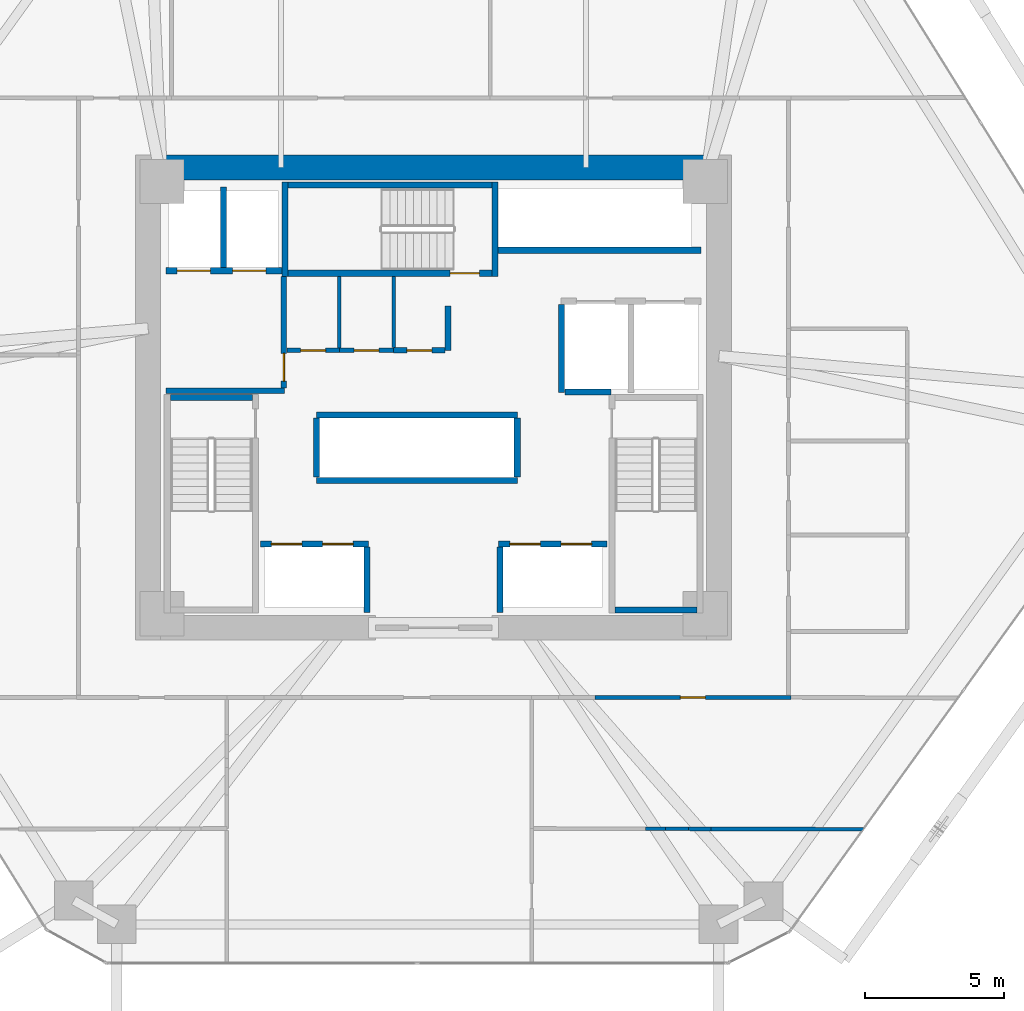
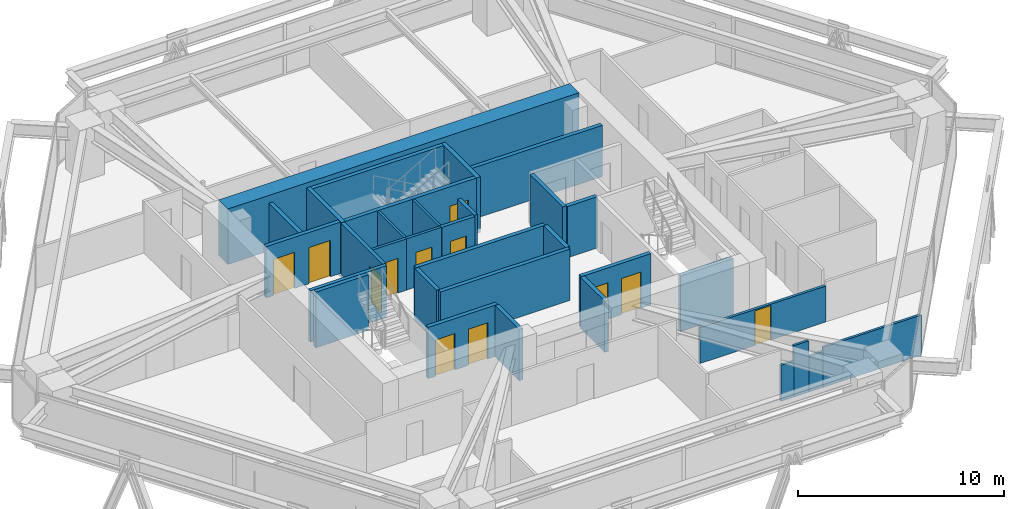
# One storey, part 14 of 17: 33 walls, 12 doors, 12 openings.
"""IFC4 building model written with IfcOpenShell, lengths in metres."""

from ifc_helpers import new_model, si_unit, direction, frame, frame_2d, origin, place, context, subcontext, project, spatial, rectangle, extrude, source, transform, mapped, material, layer, layer_set, type_object, type_shapes, element, fill, save


model = new_model("IFC4")

# Units and contexts
model_context = context("Model", 3, precision=1e-05, world=origin(), true_north=direction((0.0, 1.0)))
body_context = subcontext(model_context, "Body", "Model", "MODEL_VIEW")
ifc_project = project(units=[si_unit("LENGTHUNIT", "METRE"), si_unit("AREAUNIT", "SQUARE_METRE"), si_unit("VOLUMEUNIT", "CUBIC_METRE"), si_unit("PLANEANGLEUNIT", "RADIAN"), si_unit("MASSUNIT", "GRAM", prefix="KILO")], contexts=[model_context])

# Site, building, storey
site_placement = place(None, origin())
site = spatial("IfcSite", under=ifc_project, at=site_placement, CompositionType="ELEMENT")
building_placement = place(site_placement, origin())
building = spatial("IfcBuilding", under=site, at=building_placement, Name="Durnholm Broadcast Tower", CompositionType="ELEMENT")
storey_placement = place(building_placement, frame((0.0, 0.0, 52.199951171875)))
storey = spatial("IfcBuildingStorey", under=building, at=storey_placement, Name="L12", CompositionType="ELEMENT", Elevation=52.199951171875)

# Walls
ifc_material_1 = material(Name="Concrete C70/85", Category="concrete")
ifc_layer_1 = layer(ifc_material_1, 0.89990234375)
ifc_layer_set_1 = layer_set([ifc_layer_1], Name="Concrete C70/85")
wall_type_1 = type_object("IfcWallType", Name="WALL-CW-900", PredefinedType="SHEAR", material=ifc_layer_set_1)
wall_1_placement = place(storey_placement, frame((-9.85009765625, 8.300048828125, 0.0), z_axis=(0.0, 0.0, 1.0), x_axis=(1.0, 0.0, 0.0)))
element("IfcWall", 1, at=wall_1_placement, inside=storey, type_object=wall_type_1, Name="L12 central core shear wall CW-N", PredefinedType="SHEAR", context=body_context, shape_type="SweptSolid", body=[
    extrude(rectangle(XDim=19.7001953125, YDim=0.89990234375, at=frame_2d((9.85009765625, 0.0))), origin(), (0.0, 0.0, 1.0), 3.300048828125),
])
ifc_material_2 = material(Name="Fire-Rated Gypsum Shaftwall", Category="concrete")
ifc_layer_2 = layer(ifc_material_2, 0.199951171875)
ifc_layer_set_2 = layer_set([ifc_layer_2], Name="Fire-Rated Gypsum Shaftwall")
wall_type_2 = type_object("IfcWallType", Name="WALL-LOB-200", PredefinedType="SOLIDWALL", material=ifc_layer_set_2)
wall_2_placement = place(storey_placement, frame((-9.64990234375, 0.25, 0.0), z_axis=(0.0, 0.0, 1.0), x_axis=(1.0, 0.0, 0.0)))
element("IfcWall", 2, at=wall_2_placement, inside=storey, type_object=wall_type_2, Name="L12 Fire Service Access Elevator lobby south wall", PredefinedType="SOLIDWALL", context=body_context, shape_type="SweptSolid", body=[
    extrude(rectangle(XDim=4.27001953125, YDim=0.199951171875, at=frame_2d((2.135009765625, 0.0))), origin(), (0.0, 0.0, 1.0), 3.045166015625),
])

# Wall, opening, door
wall_3_placement = place(storey_placement, frame((-5.39990234375, 0.35400390625, 0.0), z_axis=(0.0, 0.0, 1.0), x_axis=(0.0, 1.0, 0.0)))
wall_3 = element("IfcWall", 3, at=wall_3_placement, inside=storey, type_object=wall_type_2, Name="L12 Fire Service Access Elevator lobby east fire wall", PredefinedType="SOLIDWALL", context=body_context, shape_type="SweptSolid", body=[
    extrude(rectangle(XDim=4.02587890625, YDim=0.199951171875, at=frame_2d((2.012939453125, 0.0))), origin(), (0.0, 0.0, 1.0), 3.045166015625),
])
opening_1_placement = place(wall_3_placement, frame((0.24609375, 0.0, 0.0)))
opening_1 = element("IfcOpeningElement", 4, at=opening_1_placement, cuts=wall_3, Name="Opening DL-60L", PredefinedType="OPENING", context=body_context, shape_type="SweptSolid", body=[
    extrude(rectangle(XDim=1.0, YDim=2.14990234375, at=frame_2d((0.5, 1.074951171875))), frame((0.0, 0.10986328125, 0.0), z_axis=(0.0, -1.0, 0.0), x_axis=(1.0, 0.0, 0.0)), (0.0, 0.0, 1.0), 0.219970703125),
])
ifc_material_3 = material(Name="Fire-Rated Timber/Steel Door", Category="steel")
ifc_layer_3 = layer(ifc_material_3, 0.050048828125)
ifc_layer_set_3 = layer_set([ifc_layer_3], Name="Fire-Rated Timber/Steel Door")
door_type_1 = type_object("IfcDoorType", Name="DOOR-LOB-FD60-L", OperationType="NOTDEFINED", PredefinedType="DOOR", material=ifc_layer_set_3)
shared_shape_1 = source(origin(), body_context, "Body", "SweptSolid", [
    extrude(rectangle(XDim=1.0, YDim=2.14990234375, at=frame_2d((0.5, 1.074951171875))), frame((0.0, 0.02490234375, 0.0), z_axis=(0.0, -1.0, 0.0), x_axis=(1.0, 0.0, 0.0)), (0.0, 0.0, 1.0), 0.050048828125),
])
type_shapes(door_type_1, [shared_shape_1])
door_1_placement = place(opening_1_placement, origin())
door_1 = element("IfcDoor", 5, at=door_1_placement, inside=storey, type_object=door_type_1, Name="L12 Fire Service Access Elevator lobby smoke door", OperationType="SINGLE_SWING_LEFT", OverallHeight=2.14990234375, OverallWidth=1.0, PredefinedType="DOOR", context=body_context, shape_type="MappedRepresentation", body=[
    mapped(shared_shape_1, transform((0.0, 0.0, 0.0), x_axis=(1.0, 0.0, 0.0), y_axis=(0.0, 1.0, 0.0), z_axis=(0.0, 0.0, 1.0), scale=1.0)),
])
fill(opening_1, door_1)

# Wall
wall_4_placement = place(storey_placement, frame((0.52001953125, 3.300048828125, 0.0), z_axis=(0.0, 0.0, 1.0), x_axis=(0.0, -1.0, 0.0)))
element("IfcWall", 6, at=wall_4_placement, inside=storey, type_object=wall_type_2, Name="L12 Core Telecom Patch Room corridor partition", PredefinedType="SOLIDWALL", context=body_context, shape_type="SweptSolid", body=[
    extrude(rectangle(XDim=1.590087890625, YDim=0.199951171875, at=frame_2d((0.794921875, 0.0))), origin(), (0.0, 0.0, 1.0), 3.045166015625),
])

# Wall, opening, door
wall_5_placement = place(storey_placement, frame((0.416015625, 1.7099609375, 0.0), z_axis=(0.0, 0.0, 1.0), x_axis=(-1.0, 0.0, 0.0)))
wall_5 = element("IfcWall", 7, at=wall_5_placement, inside=storey, type_object=wall_type_2, Name="L12 Core Telecom Patch Room corridor partition", PredefinedType="SOLIDWALL", context=body_context, shape_type="SweptSolid", body=[
    extrude(rectangle(XDim=1.85595703125, YDim=0.199951171875, at=frame_2d((0.927978515625, 0.0))), origin(), (0.0, 0.0, 1.0), 3.045166015625),
])
opening_2_placement = place(wall_5_placement, frame((0.47802734375, 0.0, 0.0)))
opening_2 = element("IfcOpeningElement", 8, at=opening_2_placement, cuts=wall_5, Name="Opening DC-60L", PredefinedType="OPENING", context=body_context, shape_type="SweptSolid", body=[
    extrude(rectangle(XDim=0.89990234375, YDim=2.050048828125, at=frame_2d((0.449951171875, 1.02490234375))), frame((0.0, 0.10986328125, 0.0), z_axis=(0.0, -1.0, 0.0), x_axis=(1.0, 0.0, 0.0)), (0.0, 0.0, 1.0), 0.219970703125),
])
ifc_material_4 = material(Name="Fire-Rated Core Service Door", Category="steel")
ifc_layer_4 = layer(ifc_material_4, 0.050048828125)
ifc_layer_set_4 = layer_set([ifc_layer_4], Name="Fire-Rated Core Service Door")
door_type_2 = type_object("IfcDoorType", Name="DOOR-CORE-FD60-L", OperationType="NOTDEFINED", PredefinedType="DOOR", material=ifc_layer_set_4)
shared_shape_2 = source(origin(), body_context, "Body", "SweptSolid", [
    extrude(rectangle(XDim=0.89990234375, YDim=2.050048828125, at=frame_2d((0.449951171875, 1.02490234375))), frame((0.0, 0.02490234375, 0.0), z_axis=(0.0, -1.0, 0.0), x_axis=(1.0, 0.0, 0.0)), (0.0, 0.0, 1.0), 0.050048828125),
])
type_shapes(door_type_2, [shared_shape_2])
door_2_placement = place(opening_2_placement, origin())
door_2 = element("IfcDoor", 9, at=door_2_placement, inside=storey, type_object=door_type_2, Name="L12 Core Telecom Patch Room entrance door", OperationType="SINGLE_SWING_LEFT", OverallHeight=2.050048828125, OverallWidth=0.89990234375, PredefinedType="DOOR", context=body_context, shape_type="MappedRepresentation", body=[
    mapped(shared_shape_2, transform((0.0, 0.0, 0.0), x_axis=(1.0, 0.0, 0.0), y_axis=(0.0, 1.0, 0.0), z_axis=(0.0, 0.0, 1.0), scale=1.0)),
])
fill(opening_2, door_2)

# Walls
ifc_material_5 = material(Name="Gypsum Metal Stud Partition", Category="concrete")
ifc_layer_5 = layer(ifc_material_5, 0.135009765625)
ifc_layer_set_5 = layer_set([ifc_layer_5], Name="Gypsum Metal Stud Partition")
wall_type_3 = type_object("IfcWallType", Name="WALL-PART-135", PredefinedType="PARTITIONING", material=ifc_layer_set_5)
wall_6_placement = place(storey_placement, frame((-3.39990234375, 4.375, 0.0), z_axis=(0.0, 0.0, 1.0), x_axis=(0.0, -1.0, 0.0)))
element("IfcWall", 10, at=wall_6_placement, inside=storey, type_object=wall_type_3, Name="L12 room dividing partition 1.2", PredefinedType="PARTITIONING", context=body_context, shape_type="SweptSolid", body=[
    extrude(rectangle(XDim=2.5859375, YDim=0.135009765625, at=frame_2d((1.29296875, 0.0))), origin(), (0.0, 0.0, 1.0), 3.045166015625),
])
wall_7_placement = place(storey_placement, frame((-1.43994140625, 4.375, 0.0), z_axis=(0.0, 0.0, 1.0), x_axis=(0.0, -1.0, 0.0)))
element("IfcWall", 11, at=wall_7_placement, inside=storey, type_object=wall_type_3, Name="L12 room dividing partition 2.3", PredefinedType="PARTITIONING", context=body_context, shape_type="SweptSolid", body=[
    extrude(rectangle(XDim=2.56103515625, YDim=0.135009765625, at=frame_2d((1.280517578125, 0.0))), origin(), (0.0, 0.0, 1.0), 3.045166015625),
])
wall_8_placement = place(storey_placement, frame((8.3642578125, -15.554443359375, 0.0), z_axis=(0.0, 0.0, 1.0), x_axis=(0.999997907793, -0.002045583096, 0.0)))
element("IfcWall", 12, at=wall_8_placement, inside=storey, type_object=wall_type_3, Name="L12 room dividing partition 13.14", PredefinedType="PARTITIONING", context=body_context, shape_type="SweptSolid", body=[
    extrude(rectangle(XDim=0.83544921875, YDim=0.135009765625, at=frame_2d((0.417724609375, 0.0))), origin(), (0.0, 0.0, 1.0), 3.045166015625),
])
wall_9_placement = place(storey_placement, frame((10.006591796875, -15.5576171875, 0.0), z_axis=(0.0, 0.0, 1.0), x_axis=(0.999998093672, -0.00195260123, 0.0)))
element("IfcWall", 13, at=wall_9_placement, inside=storey, type_object=wall_type_3, Name="L12 room dividing partition 13.14", PredefinedType="PARTITIONING", context=body_context, shape_type="SweptSolid", body=[
    extrude(rectangle(XDim=5.50146484375, YDim=0.135009765625, at=frame_2d((2.750732421875, 0.0))), origin(), (0.0, 0.0, 1.0), 2.380126953125),
])
wall_10_placement = place(storey_placement, frame((7.638916015625, -15.552978515625, 0.0), z_axis=(0.0, 0.0, 1.0), x_axis=(0.999997960772, -0.002019517928, 0.0)))
element("IfcWall", 14, at=wall_10_placement, inside=storey, type_object=wall_type_3, Name="L12 room dividing partition 13.14", PredefinedType="PARTITIONING", context=body_context, shape_type="SweptSolid", body=[
    extrude(rectangle(XDim=0.725341796875, YDim=0.135009765625, at=frame_2d((0.36279296875, 0.0))), origin(), (0.0, 0.0, 1.0), 2.130126953125),
])
wall_11_placement = place(storey_placement, frame((9.19970703125, -15.55615234375, 0.0), z_axis=(0.0, 0.0, 1.0), x_axis=(0.999998352109, -0.001815428173, 0.0)))
element("IfcWall", 15, at=wall_11_placement, inside=storey, type_object=wall_type_3, Name="L12 room dividing partition 13.14", PredefinedType="PARTITIONING", context=body_context, shape_type="SweptSolid", body=[
    extrude(rectangle(XDim=0.806884765625, YDim=0.135009765625, at=frame_2d((0.4033203125, 0.0))), origin(), (0.0, 0.0, 1.0), 2.130126953125),
])

# Wall, opening, door
ifc_material_6 = material(Name="Acoustic Gypsum Stud Partition", Category="concrete")
ifc_layer_6 = layer(ifc_material_6, 0.14990234375)
ifc_layer_set_6 = layer_set([ifc_layer_6], Name="Acoustic Gypsum Stud Partition")
wall_type_4 = type_object("IfcWallType", Name="WALL-PART-150", PredefinedType="PARTITIONING", material=ifc_layer_set_6)
wall_12_placement = place(storey_placement, frame((-3.39990234375, 1.7099609375, 0.0), z_axis=(0.0, 0.0, 1.0), x_axis=(-1.0, 0.0, 0.0)))
wall_12 = element("IfcWall", 16, at=wall_12_placement, inside=storey, type_object=wall_type_4, Name="L12 Core Copy and Print Closet corridor partition", PredefinedType="PARTITIONING", context=body_context, shape_type="SweptSolid", body=[
    extrude(rectangle(XDim=1.89599609375, YDim=0.14990234375, at=frame_2d((0.947998046875, 0.0))), origin(), (0.0, 0.0, 1.0), 3.045166015625),
])
opening_3_placement = place(wall_12_placement, frame((0.498046875, 0.0, 0.0)))
opening_3 = element("IfcOpeningElement", 17, at=opening_3_placement, cuts=wall_12, Name="Opening DC-60L", PredefinedType="OPENING", context=body_context, shape_type="SweptSolid", body=[
    extrude(rectangle(XDim=0.89990234375, YDim=2.050048828125, at=frame_2d((0.449951171875, 1.02490234375))), frame((0.0, 0.0849609375, 0.0), z_axis=(0.0, -1.0, 0.0), x_axis=(1.0, 0.0, 0.0)), (0.0, 0.0, 1.0), 0.169921875),
])
door_3_placement = place(opening_3_placement, origin())
door_3 = element("IfcDoor", 18, at=door_3_placement, inside=storey, type_object=door_type_2, Name="L12 Core Copy and Print Closet entrance door", OperationType="SINGLE_SWING_LEFT", OverallHeight=2.050048828125, OverallWidth=0.89990234375, PredefinedType="DOOR", context=body_context, shape_type="MappedRepresentation", body=[
    mapped(shared_shape_2, transform((0.0, 0.0, 0.0), x_axis=(1.0, 0.0, 0.0), y_axis=(0.0, 1.0, 0.0), z_axis=(0.0, 0.0, 1.0), scale=1.0)),
])
fill(opening_3, door_3)

wall_13_placement = place(storey_placement, frame((-1.43994140625, 1.7099609375, 0.0), z_axis=(0.0, 0.0, 1.0), x_axis=(-1.0, 0.0, 0.0)))
wall_13 = element("IfcWall", 19, at=wall_13_placement, inside=storey, type_object=wall_type_4, Name="L12 Core Janitor Supply Closet corridor partition", PredefinedType="PARTITIONING", context=body_context, shape_type="SweptSolid", body=[
    extrude(rectangle(XDim=1.9599609375, YDim=0.14990234375, at=frame_2d((0.97998046875, 0.0))), origin(), (0.0, 0.0, 1.0), 3.045166015625),
])
opening_4_placement = place(wall_13_placement, frame((0.530029296875, 0.0, 0.0)))
opening_4 = element("IfcOpeningElement", 20, at=opening_4_placement, cuts=wall_13, Name="Opening DC-60R", PredefinedType="OPENING", context=body_context, shape_type="SweptSolid", body=[
    extrude(rectangle(XDim=0.89990234375, YDim=2.050048828125, at=frame_2d((0.449951171875, 1.02490234375))), frame((0.0, 0.0849609375, 0.0), z_axis=(0.0, -1.0, 0.0), x_axis=(1.0, 0.0, 0.0)), (0.0, 0.0, 1.0), 0.169921875),
])
ifc_layer_7 = layer(ifc_material_4, 0.050048828125)
ifc_layer_set_7 = layer_set([ifc_layer_7], Name="Fire-Rated Core Service Door")
door_type_3 = type_object("IfcDoorType", Name="DOOR-CORE-FD60-R", OperationType="NOTDEFINED", PredefinedType="DOOR", material=ifc_layer_set_7)
shared_shape_3 = source(origin(), body_context, "Body", "SweptSolid", [
    extrude(rectangle(XDim=0.89990234375, YDim=2.050048828125, at=frame_2d((0.449951171875, 1.02490234375))), frame((0.0, 0.02490234375, 0.0), z_axis=(0.0, -1.0, 0.0), x_axis=(1.0, 0.0, 0.0)), (0.0, 0.0, 1.0), 0.050048828125),
])
type_shapes(door_type_3, [shared_shape_3])
door_4_placement = place(opening_4_placement, origin())
door_4 = element("IfcDoor", 21, at=door_4_placement, inside=storey, type_object=door_type_3, Name="L12 Core Janitor Supply Closet entrance door", OperationType="SINGLE_SWING_RIGHT", OverallHeight=2.050048828125, OverallWidth=0.89990234375, PredefinedType="DOOR", context=body_context, shape_type="MappedRepresentation", body=[
    mapped(shared_shape_3, transform((0.0, 0.0, 0.0), x_axis=(1.0, 0.0, 0.0), y_axis=(0.0, 1.0, 0.0), z_axis=(0.0, 0.0, 1.0), scale=1.0)),
])
fill(opening_4, door_4)

wall_14_placement = place(storey_placement, frame((5.8173828125, -10.81005859375, 0.0), z_axis=(0.0, 0.0, 1.0), x_axis=(1.0, 0.0, 0.0)))
wall_14 = element("IfcWall", 22, at=wall_14_placement, inside=storey, type_object=wall_type_4, Name="L12 Equipment Store corridor partition", PredefinedType="PARTITIONING", context=body_context, shape_type="SweptSolid", body=[
    extrude(rectangle(XDim=7.072509765625, YDim=0.14990234375, at=frame_2d((3.5361328125, 0.0))), origin(), (0.0, 0.0, 1.0), 2.130126953125),
])
opening_5_placement = place(wall_14_placement, frame((3.086181640625, 0.0, 0.0)))
opening_5 = element("IfcOpeningElement", 23, at=opening_5_placement, cuts=wall_14, Name="Opening DC-60L", PredefinedType="OPENING", context=body_context, shape_type="SweptSolid", body=[
    extrude(rectangle(XDim=0.89990234375, YDim=2.050048828125, at=frame_2d((0.449951171875, 1.02490234375))), frame((0.0, 0.0849609375, 0.0), z_axis=(0.0, -1.0, 0.0), x_axis=(1.0, 0.0, 0.0)), (0.0, 0.0, 1.0), 0.169921875),
])
door_5_placement = place(opening_5_placement, origin())
door_5 = element("IfcDoor", 24, at=door_5_placement, inside=storey, type_object=door_type_2, Name="L12 Equipment Store entrance door", OperationType="SINGLE_SWING_LEFT", OverallHeight=2.050048828125, OverallWidth=0.89990234375, PredefinedType="DOOR", context=body_context, shape_type="MappedRepresentation", body=[
    mapped(shared_shape_2, transform((0.0, 0.0, 0.0), x_axis=(1.0, 0.0, 0.0), y_axis=(0.0, 1.0, 0.0), z_axis=(0.0, 0.0, 1.0), scale=1.0)),
])
fill(opening_5, door_5)

# Wall, openings, doors
ifc_material_7 = material(Name="Concrete Blockwork C30/37", Category="masonry")
ifc_layer_8 = layer(ifc_material_7, 0.219970703125)
ifc_layer_set_8 = layer_set([ifc_layer_8], Name="Concrete Blockwork C30/37")
wall_type_5 = type_object("IfcWallType", Name="WALL-SHAFT-220", PredefinedType="SOLIDWALL", material=ifc_layer_set_8)
wall_15_placement = place(storey_placement, frame((-9.64990234375, 4.580078125, 0.0), z_axis=(0.0, 0.0, 1.0), x_axis=(1.0, 0.0, 0.0)))
wall_15 = element("IfcWall", 25, at=wall_15_placement, inside=storey, type_object=wall_type_5, Name="L12 FSAE hoistway front fire wall", PredefinedType="SOLIDWALL", context=body_context, shape_type="SweptSolid", body=[
    extrude(rectangle(XDim=4.1748046875, YDim=0.219970703125, at=frame_2d((2.08740234375, 0.0))), origin(), (0.0, 0.0, 1.0), 3.045166015625),
])
opening_6_placement = place(wall_15_placement, frame((0.39990234375, 0.0, 0.0)))
opening_6 = element("IfcOpeningElement", 26, at=opening_6_placement, cuts=wall_15, Name="Opening LD-FSAE-2", PredefinedType="OPENING", context=body_context, shape_type="SweptSolid", body=[
    extrude(rectangle(XDim=1.199951171875, YDim=2.14990234375, at=frame_2d((0.60009765625, 1.074951171875))), frame((0.0, 0.1201171875, 0.0), z_axis=(0.0, -1.0, 0.0), x_axis=(1.0, 0.0, 0.0)), (0.0, 0.0, 1.0), 0.239990234375),
])
opening_7_placement = place(wall_15_placement, frame((2.39990234375, 0.0, 0.0)))
opening_7 = element("IfcOpeningElement", 27, at=opening_7_placement, cuts=wall_15, Name="Opening LD-FSAE-1", PredefinedType="OPENING", context=body_context, shape_type="SweptSolid", body=[
    extrude(rectangle(XDim=1.199951171875, YDim=2.14990234375, at=frame_2d((0.60009765625, 1.074951171875))), frame((0.0, 0.1201171875, 0.0), z_axis=(0.0, -1.0, 0.0), x_axis=(1.0, 0.0, 0.0)), (0.0, 0.0, 1.0), 0.239990234375),
])
ifc_material_8 = material(Name="Fire Service Access Sliding Landing Door", Category="steel")
ifc_layer_9 = layer(ifc_material_8, 0.050048828125)
ifc_layer_set_9 = layer_set([ifc_layer_9], Name="Fire Service Access Sliding Landing Door")
door_type_4 = type_object("IfcDoorType", Name="DOOR-LIFT-FSAE", OperationType="DOUBLE_DOOR_SLIDING", PredefinedType="DOOR", material=ifc_layer_set_9)
shared_shape_4 = source(origin(), body_context, "Body", "SweptSolid", [
    extrude(rectangle(XDim=1.199951171875, YDim=2.14990234375, at=frame_2d((0.60009765625, 1.074951171875))), frame((0.0, 0.02490234375, 0.0), z_axis=(0.0, -1.0, 0.0), x_axis=(1.0, 0.0, 0.0)), (0.0, 0.0, 1.0), 0.050048828125),
])
type_shapes(door_type_4, [shared_shape_4])
door_6_placement = place(opening_6_placement, origin())
door_6 = element("IfcDoor", 28, at=door_6_placement, inside=storey, type_object=door_type_4, Name="L12 Fire Service Access Elevator FSAE-2 sliding landing door", OperationType="DOUBLE_DOOR_SLIDING", OverallHeight=2.14990234375, OverallWidth=1.199951171875, PredefinedType="DOOR", context=body_context, shape_type="MappedRepresentation", body=[
    mapped(shared_shape_4, transform((0.0, 0.0, 0.0), x_axis=(1.0, 0.0, 0.0), y_axis=(0.0, 1.0, 0.0), z_axis=(0.0, 0.0, 1.0), scale=1.0)),
])
fill(opening_6, door_6)
door_7_placement = place(opening_7_placement, origin())
door_7 = element("IfcDoor", 29, at=door_7_placement, inside=storey, type_object=door_type_4, Name="L12 Fire Service Access Elevator FSAE-1 sliding landing door", OperationType="DOUBLE_DOOR_SLIDING", OverallHeight=2.14990234375, OverallWidth=1.199951171875, PredefinedType="DOOR", context=body_context, shape_type="MappedRepresentation", body=[
    mapped(shared_shape_4, transform((0.0, 0.0, 0.0), x_axis=(1.0, 0.0, 0.0), y_axis=(0.0, 1.0, 0.0), z_axis=(0.0, 0.0, 1.0), scale=1.0)),
])
fill(opening_7, door_7)

# Walls
wall_16_placement = place(storey_placement, frame((-7.580078125, 4.694091796875, 0.0), z_axis=(0.0, 0.0, 1.0), x_axis=(0.0, 1.0, 0.0)))
element("IfcWall", 30, at=wall_16_placement, inside=storey, type_object=wall_type_5, Name="L12 FSAE shaft divider wall", PredefinedType="SOLIDWALL", context=body_context, shape_type="SweptSolid", body=[
    extrude(rectangle(XDim=2.906005859375, YDim=0.219970703125, at=frame_2d((1.453125, 0.0))), origin(), (0.0, 0.0, 1.0), 3.045166015625),
])
wall_17_placement = place(storey_placement, frame((4.6201171875, 0.179931640625, 0.0), z_axis=(0.0, 0.0, 1.0), x_axis=(0.0, 1.0, 0.0)))
element("IfcWall", 31, at=wall_17_placement, inside=storey, type_object=wall_type_5, Name="L12 freight service lift SVL-2 west wall", PredefinedType="SOLIDWALL", context=body_context, shape_type="SweptSolid", body=[
    extrude(rectangle(XDim=3.18603515625, YDim=0.219970703125, at=frame_2d((1.593017578125, 0.0))), origin(), (0.0, 0.0, 1.0), 3.045166015625),
])
wall_18_placement = place(storey_placement, frame((4.73388671875, 0.199951171875, 0.0), z_axis=(0.0, 0.0, 1.0), x_axis=(1.0, 0.0, 0.0)))
element("IfcWall", 32, at=wall_18_placement, inside=storey, type_object=wall_type_5, Name="L12 freight service lift SVL-2 south wall", PredefinedType="SOLIDWALL", context=body_context, shape_type="SweptSolid", body=[
    extrude(rectangle(XDim=1.666015625, YDim=0.219970703125, at=frame_2d((0.8330078125, 0.0))), origin(), (0.0, 0.0, 1.0), 3.045166015625),
])

# Wall, openings, doors
wall_19_placement = place(storey_placement, frame((-6.25, -5.280029296875, 0.0), z_axis=(0.0, 0.0, 1.0), x_axis=(1.0, 0.0, 0.0)))
wall_19 = element("IfcWall", 33, at=wall_19_placement, inside=storey, type_object=wall_type_5, Name="L12 low-rise bank P1 west front wall", PredefinedType="SOLIDWALL", context=body_context, shape_type="SweptSolid", body=[
    extrude(rectangle(XDim=3.89990234375, YDim=0.219970703125, at=frame_2d((1.949951171875, 0.0))), origin(), (0.0, 0.0, 1.0), 3.045166015625),
])
opening_8_placement = place(wall_19_placement, frame((0.39990234375, 0.0, 0.0)))
opening_8 = element("IfcOpeningElement", 34, at=opening_8_placement, cuts=wall_19, Name="Opening LD-LP1-1", PredefinedType="OPENING", context=body_context, shape_type="SweptSolid", body=[
    extrude(rectangle(XDim=1.10009765625, YDim=2.14990234375, at=frame_2d((0.550048828125, 1.074951171875))), frame((0.0, 0.1201171875, 0.0), z_axis=(0.0, -1.0, 0.0), x_axis=(1.0, 0.0, 0.0)), (0.0, 0.0, 1.0), 0.239990234375),
])
opening_9_placement = place(wall_19_placement, frame((2.25, 0.0, 0.0)))
opening_9 = element("IfcOpeningElement", 35, at=opening_9_placement, cuts=wall_19, Name="Opening LD-LP1-2", PredefinedType="OPENING", context=body_context, shape_type="SweptSolid", body=[
    extrude(rectangle(XDim=1.10009765625, YDim=2.14990234375, at=frame_2d((0.550048828125, 1.074951171875))), frame((0.0, 0.1201171875, 0.0), z_axis=(0.0, -1.0, 0.0), x_axis=(1.0, 0.0, 0.0)), (0.0, 0.0, 1.0), 0.239990234375),
])
ifc_material_9 = material(Name="Stainless Steel Sliding Elevator Landing Door", Category="steel")
ifc_layer_10 = layer(ifc_material_9, 0.050048828125)
ifc_layer_set_10 = layer_set([ifc_layer_10], Name="Stainless Steel Sliding Elevator Landing Door")
door_type_5 = type_object("IfcDoorType", Name="DOOR-LIFT-PAX", OperationType="DOUBLE_DOOR_SLIDING", PredefinedType="DOOR", material=ifc_layer_set_10)
shared_shape_5 = source(origin(), body_context, "Body", "SweptSolid", [
    extrude(rectangle(XDim=1.10009765625, YDim=2.14990234375, at=frame_2d((0.550048828125, 1.074951171875))), frame((0.0, 0.02490234375, 0.0), z_axis=(0.0, -1.0, 0.0), x_axis=(1.0, 0.0, 0.0)), (0.0, 0.0, 1.0), 0.050048828125),
])
type_shapes(door_type_5, [shared_shape_5])
door_8_placement = place(opening_8_placement, origin())
door_8 = element("IfcDoor", 36, at=door_8_placement, inside=storey, type_object=door_type_5, Name="L12 passenger elevator LP1-1 sliding landing door", OperationType="DOUBLE_DOOR_SLIDING", OverallHeight=2.14990234375, OverallWidth=1.10009765625, PredefinedType="DOOR", context=body_context, shape_type="MappedRepresentation", body=[
    mapped(shared_shape_5, transform((0.0, 0.0, 0.0), x_axis=(1.0, 0.0, 0.0), y_axis=(0.0, 1.0, 0.0), z_axis=(0.0, 0.0, 1.0), scale=1.0)),
])
fill(opening_8, door_8)
door_9_placement = place(opening_9_placement, origin())
door_9 = element("IfcDoor", 37, at=door_9_placement, inside=storey, type_object=door_type_5, Name="L12 passenger elevator LP1-2 sliding landing door", OperationType="DOUBLE_DOOR_SLIDING", OverallHeight=2.14990234375, OverallWidth=1.10009765625, PredefinedType="DOOR", context=body_context, shape_type="MappedRepresentation", body=[
    mapped(shared_shape_5, transform((0.0, 0.0, 0.0), x_axis=(1.0, 0.0, 0.0), y_axis=(0.0, 1.0, 0.0), z_axis=(0.0, 0.0, 1.0), scale=1.0)),
])
fill(opening_9, door_9)

wall_20_placement = place(storey_placement, frame((2.35009765625, -5.280029296875, 0.0), z_axis=(0.0, 0.0, 1.0), x_axis=(1.0, 0.0, 0.0)))
wall_20 = element("IfcWall", 38, at=wall_20_placement, inside=storey, type_object=wall_type_5, Name="L12 low-rise bank P1 east front wall", PredefinedType="SOLIDWALL", context=body_context, shape_type="SweptSolid", body=[
    extrude(rectangle(XDim=3.89990234375, YDim=0.219970703125, at=frame_2d((1.949951171875, 0.0))), origin(), (0.0, 0.0, 1.0), 3.045166015625),
])
opening_10_placement = place(wall_20_placement, frame((0.39990234375, 0.0, 0.0)))
opening_10 = element("IfcOpeningElement", 39, at=opening_10_placement, cuts=wall_20, Name="Opening LD-LP1-3", PredefinedType="OPENING", context=body_context, shape_type="SweptSolid", body=[
    extrude(rectangle(XDim=1.10009765625, YDim=2.14990234375, at=frame_2d((0.550048828125, 1.074951171875))), frame((0.0, 0.1201171875, 0.0), z_axis=(0.0, -1.0, 0.0), x_axis=(1.0, 0.0, 0.0)), (0.0, 0.0, 1.0), 0.239990234375),
])
opening_11_placement = place(wall_20_placement, frame((2.25, 0.0, 0.0)))
opening_11 = element("IfcOpeningElement", 40, at=opening_11_placement, cuts=wall_20, Name="Opening LD-LP1-4", PredefinedType="OPENING", context=body_context, shape_type="SweptSolid", body=[
    extrude(rectangle(XDim=1.10009765625, YDim=2.14990234375, at=frame_2d((0.550048828125, 1.074951171875))), frame((0.0, 0.1201171875, 0.0), z_axis=(0.0, -1.0, 0.0), x_axis=(1.0, 0.0, 0.0)), (0.0, 0.0, 1.0), 0.239990234375),
])
door_10_placement = place(opening_10_placement, origin())
door_10 = element("IfcDoor", 41, at=door_10_placement, inside=storey, type_object=door_type_5, Name="L12 passenger elevator LP1-3 sliding landing door", OperationType="DOUBLE_DOOR_SLIDING", OverallHeight=2.14990234375, OverallWidth=1.10009765625, PredefinedType="DOOR", context=body_context, shape_type="MappedRepresentation", body=[
    mapped(shared_shape_5, transform((0.0, 0.0, 0.0), x_axis=(1.0, 0.0, 0.0), y_axis=(0.0, 1.0, 0.0), z_axis=(0.0, 0.0, 1.0), scale=1.0)),
])
fill(opening_10, door_10)
door_11_placement = place(opening_11_placement, origin())
door_11 = element("IfcDoor", 42, at=door_11_placement, inside=storey, type_object=door_type_5, Name="L12 passenger elevator LP1-4 sliding landing door", OperationType="DOUBLE_DOOR_SLIDING", OverallHeight=2.14990234375, OverallWidth=1.10009765625, PredefinedType="DOOR", context=body_context, shape_type="MappedRepresentation", body=[
    mapped(shared_shape_5, transform((0.0, 0.0, 0.0), x_axis=(1.0, 0.0, 0.0), y_axis=(0.0, 1.0, 0.0), z_axis=(0.0, 0.0, 1.0), scale=1.0)),
])
fill(opening_11, door_11)

# Walls
for number, where, z_axis, x_axis, name in (
    (43, (-2.39990234375, -7.75, 0.0), (0.0, 0.0, 1.0), (0.0, 1.0, 0.0), "L12 low-rise bank P1 west mouth wall"),
    (44, (2.39990234375, -7.75, 0.0), (0.0, 0.0, 1.0), (0.0, 1.0, 0.0), "L12 low-rise bank P1 east mouth wall"),
):
    element("IfcWall", number, at=place(storey_placement, frame(where, z_axis=z_axis, x_axis=x_axis)), inside=storey, type_object=wall_type_5, Name=name, PredefinedType="SOLIDWALL", context=body_context, shape_type="SweptSolid", body=[
        extrude(rectangle(XDim=2.35595703125, YDim=0.219970703125, at=frame_2d((1.177978515625, 0.0))), origin(), (0.0, 0.0, 1.0), 3.045166015625),
    ])
for number, where, z_axis, x_axis, name in (
    (45, (-4.219970703125, -2.97998046875, 0.0), (0.0, 0.0, 1.0), (1.0, 0.0, 0.0), "L12 mid-rise bank P2 south front wall"),
    (46, (-4.219970703125, -0.6201171875, 0.0), (0.0, 0.0, 1.0), (1.0, 0.0, 0.0), "L12 mid-rise bank P2 north shaft wall"),
):
    element("IfcWall", number, at=place(storey_placement, frame(where, z_axis=z_axis, x_axis=x_axis)), inside=storey, type_object=wall_type_5, Name=name, PredefinedType="SOLIDWALL", context=body_context, shape_type="SweptSolid", body=[
        extrude(rectangle(XDim=7.239990234375, YDim=0.219970703125, at=frame_2d((3.6201171875, 0.0))), origin(), (0.0, 0.0, 1.0), 3.045166015625),
    ])
for number, where, z_axis, x_axis, name in (
    (47, (-4.219970703125, -2.865966796875, 0.0), (0.0, 0.0, 1.0), (0.0, 1.0, 0.0), "L12 mid-rise bank P2 west shaft wall"),
    (48, (3.02001953125, -2.865966796875, 0.0), (0.0, 0.0, 1.0), (0.0, 1.0, 0.0), "L12 mid-rise bank P2 east shaft wall"),
):
    element("IfcWall", number, at=place(storey_placement, frame(where, z_axis=z_axis, x_axis=x_axis)), inside=storey, type_object=wall_type_5, Name=name, PredefinedType="SOLIDWALL", context=body_context, shape_type="SweptSolid", body=[
        extrude(rectangle(XDim=2.132080078125, YDim=0.219970703125, at=frame_2d((1.06591796875, 0.0))), origin(), (0.0, 0.0, 1.0), 3.045166015625),
    ])
wall_21_placement = place(storey_placement, frame((2.324951171875, 5.320068359375, 0.0), z_axis=(0.0, 0.0, 1.0), x_axis=(1.0, 0.0, 0.0)))
element("IfcWall", 49, at=wall_21_placement, inside=storey, type_object=wall_type_5, Name="L12 high-rise bank P3 south front wall", PredefinedType="SOLIDWALL", context=body_context, shape_type="SweptSolid", body=[
    extrude(rectangle(XDim=7.324951171875, YDim=0.219970703125, at=frame_2d((3.66259765625, 0.0))), origin(), (0.0, 0.0, 1.0), 3.045166015625),
])
ifc_material_10 = material(Name="Concrete C50/60", Category="concrete")
ifc_layer_11 = layer(ifc_material_10, 0.219970703125)
ifc_layer_set_11 = layer_set([ifc_layer_11], Name="Concrete C50/60")
wall_type_6 = type_object("IfcWallType", Name="WALL-SW-220", PredefinedType="SHEAR", material=ifc_layer_set_11)
for number, where, z_axis, x_axis, name in (
    (50, (-6.5400390625, 0.010009765625, -0.239990234375), (0.0, 0.0, 1.0), (-1.0, 0.0, 0.0), "L12 stair ST-1 structural shaft wall N"),
    (51, (6.5400390625, -7.659912109375, -0.239990234375), (0.0, 0.0, 1.0), (1.0, 0.0, 0.0), "L12 stair ST-2 structural shaft wall S"),
):
    element("IfcWall", number, at=place(storey_placement, frame(where, z_axis=z_axis, x_axis=x_axis)), inside=storey, type_object=wall_type_6, Name=name, PredefinedType="SHEAR", context=body_context, shape_type="SweptSolid", body=[
        extrude(rectangle(XDim=2.9599609375, YDim=0.219970703125, at=frame_2d((1.47998046875, 0.0))), origin(), (0.0, 0.0, 1.0), 3.300048828125),
    ])
for number, where, z_axis, x_axis, name in (
    (52, (2.2099609375, 4.3798828125, -0.239990234375), (0.0, 0.0, 1.0), (0.0, 1.0, 0.0), "L12 stair ST-3 structural shaft wall E"),
    (53, (-5.360107421875, 7.780029296875, -0.239990234375), (0.0, 0.0, 1.0), (0.0, -1.0, 0.0), "L12 stair ST-3 structural shaft wall W"),
):
    element("IfcWall", number, at=place(storey_placement, frame(where, z_axis=z_axis, x_axis=x_axis)), inside=storey, type_object=wall_type_6, Name=name, PredefinedType="SHEAR", context=body_context, shape_type="SweptSolid", body=[
        extrude(rectangle(XDim=3.400146484375, YDim=0.219970703125, at=frame_2d((1.7001953125, 0.0))), origin(), (0.0, 0.0, 1.0), 3.300048828125),
    ])

# Wall, opening, door
wall_22_placement = place(storey_placement, frame((-5.25, 4.489990234375, -0.239990234375), z_axis=(0.0, 0.0, 1.0), x_axis=(1.0, 0.0, 0.0)))
wall_22 = element("IfcWall", 54, at=wall_22_placement, inside=storey, type_object=wall_type_6, Name="L12 stair ST-3 structural shaft wall S", PredefinedType="SHEAR", context=body_context, shape_type="SweptSolid", body=[
    extrude(rectangle(XDim=7.35009765625, YDim=0.219970703125, at=frame_2d((3.675048828125, 0.0))), origin(), (0.0, 0.0, 1.0), 3.300048828125),
])
opening_12_placement = place(wall_22_placement, frame((5.85009765625, 0.0, 0.0)))
opening_12 = element("IfcOpeningElement", 55, at=opening_12_placement, cuts=wall_22, Name="Opening DS-90L", PredefinedType="OPENING", context=body_context, shape_type="SweptSolid", body=[
    extrude(rectangle(XDim=1.050048828125, YDim=2.14990234375, at=frame_2d((0.52490234375, 1.074951171875))), frame((0.0, 0.1201171875, 0.0), z_axis=(0.0, -1.0, 0.0), x_axis=(1.0, 0.0, 0.0)), (0.0, 0.0, 1.0), 0.239990234375),
])
ifc_material_11 = material(Name="Fire-Rated Steel Door", Category="steel")
ifc_layer_12 = layer(ifc_material_11, 0.050048828125)
ifc_layer_set_12 = layer_set([ifc_layer_12], Name="Fire-Rated Steel Door")
door_type_6 = type_object("IfcDoorType", Name="DOOR-ST-FD90-L", OperationType="NOTDEFINED", PredefinedType="DOOR", material=ifc_layer_set_12)
shared_shape_6 = source(origin(), body_context, "Body", "SweptSolid", [
    extrude(rectangle(XDim=1.050048828125, YDim=2.14990234375, at=frame_2d((0.52490234375, 1.074951171875))), frame((0.0, 0.02490234375, 0.0), z_axis=(0.0, -1.0, 0.0), x_axis=(1.0, 0.0, 0.0)), (0.0, 0.0, 1.0), 0.050048828125),
])
type_shapes(door_type_6, [shared_shape_6])
door_12_placement = place(opening_12_placement, origin())
door_12 = element("IfcDoor", 56, at=door_12_placement, inside=storey, type_object=door_type_6, Name="L12 exit stair ST-3 fire door", OperationType="SINGLE_SWING_LEFT", OverallHeight=2.14990234375, OverallWidth=1.050048828125, PredefinedType="DOOR", context=body_context, shape_type="MappedRepresentation", body=[
    mapped(shared_shape_6, transform((0.0, 0.0, 0.0), x_axis=(1.0, 0.0, 0.0), y_axis=(0.0, 1.0, 0.0), z_axis=(0.0, 0.0, 1.0), scale=1.0)),
])
fill(opening_12, door_12)

# Wall
wall_23_placement = place(storey_placement, frame((2.10009765625, 7.669921875, -0.239990234375), z_axis=(0.0, 0.0, 1.0), x_axis=(-1.0, 0.0, 0.0)))
element("IfcWall", 57, at=wall_23_placement, inside=storey, type_object=wall_type_6, Name="L12 stair ST-3 structural shaft wall N", PredefinedType="SHEAR", context=body_context, shape_type="SweptSolid", body=[
    extrude(rectangle(XDim=7.35009765625, YDim=0.219970703125, at=frame_2d((3.675048828125, 0.0))), origin(), (0.0, 0.0, 1.0), 3.300048828125),
])

save(model, "model.ifc")
